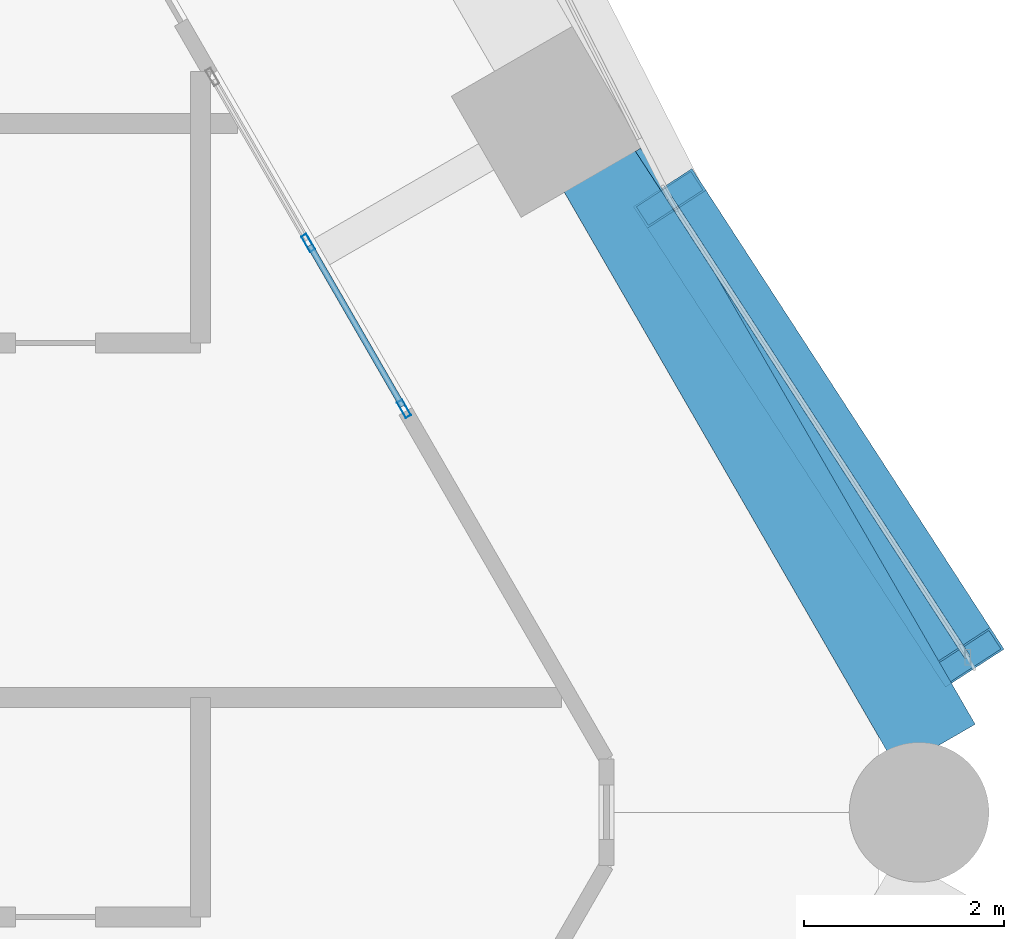
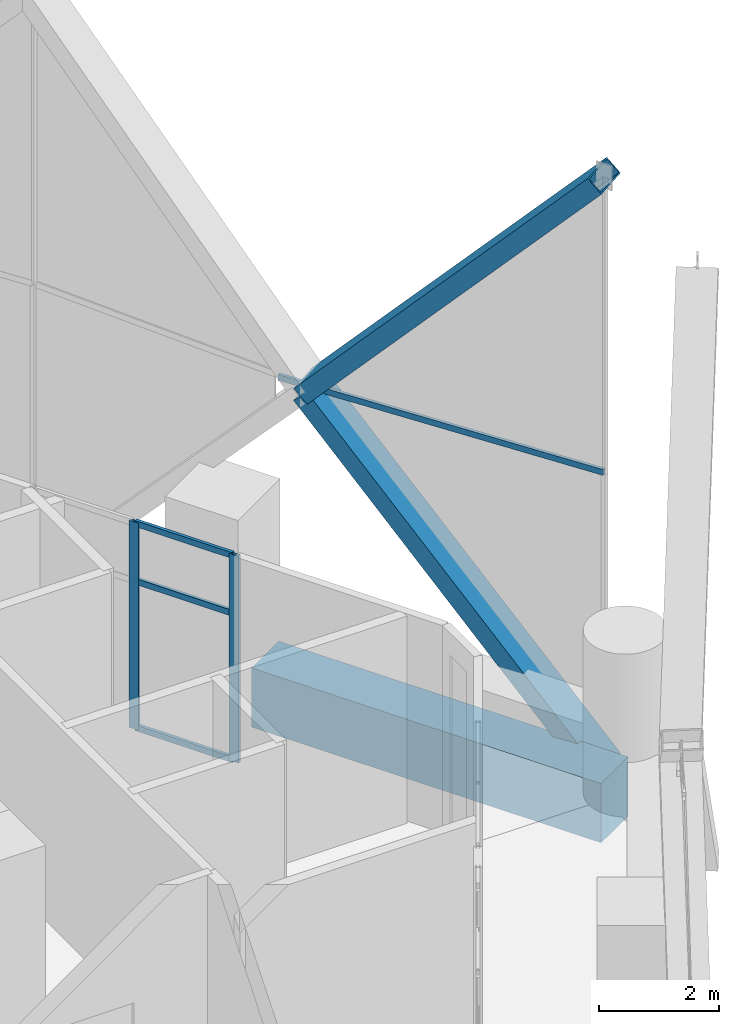
# One storey, part 22 of 46: 8 members, 1 beam, 2 elements without a shape of their own.
"""IFC4 building model written with IfcOpenShell, lengths in metres."""

import ifcopenshell
import ifcopenshell.guid

model = None  # the IFC model being written
_history = None  # IfcOwnerHistory: only IFC2X3 demands one
_inside = {}  # id of a spatial element -> (the spatial element, [elements in it])
_under = {}  # id of a project, library or spatial element -> (it, [spatial elements below it])
_declared = {}  # id of a project -> (the project, [libraries it declares])
_typed = {}  # id of a type object -> (the type object, [elements of that type])
_made_of = {}  # id of a material, layer set ... -> (it, [elements and type objects made of it])


def new_model(schema):
    """Start an empty IFC model of exactly this schema.

    Asked for "IFC4X3", IfcOpenShell would pick the latest addendum, in which some entities
    have other attributes; the version numbers below select the first issue.
    IFC2X3 requires an IfcOwnerHistory on every rooted entity: one is made here for all.
    """
    global model, _history
    if schema == "IFC4X3":
        model = ifcopenshell.file(schema_version=(4, 3, 0, 0))
    else:
        model = ifcopenshell.file(schema=schema)
    _inside.clear()
    _under.clear()
    _declared.clear()
    _typed.clear()
    _made_of.clear()
    _history = None
    if model.schema == "IFC2X3":
        org = make("IfcOrganization", Name="unknown")
        user = make(
            "IfcPersonAndOrganization",
            ThePerson=make("IfcPerson", FamilyName="unknown"),
            TheOrganization=org,
        )
        app = make(
            "IfcApplication",
            ApplicationDeveloper=org,
            Version="unknown",
            ApplicationFullName="unknown",
            ApplicationIdentifier="unknown",
        )
        _history = make(
            "IfcOwnerHistory",
            OwningUser=user,
            OwningApplication=app,
            ChangeAction="ADDED",
            CreationDate=0,
        )
    return model


def make(cls, **values):
    """One entity of the class cls with the attributes given. An attribute that is None is left unset."""
    return model.create_entity(
        cls, **{name: value for name, value in values.items() if value is not None}
    )


def rooted(cls, **values):
    """An entity with a GlobalId (a new one), such as an element, a storey or a relation."""
    return make(cls, GlobalId=ifcopenshell.guid.new(), OwnerHistory=_history, **values)


def si_unit(unit_type, name, prefix=None):
    """IfcSIUnit, for example si_unit("LENGTHUNIT", "METRE", prefix="MILLI")."""
    return make("IfcSIUnit", UnitType=unit_type, Prefix=prefix, Name=name)


def assignment(units):
    """IfcUnitAssignment: the units of a project."""
    return None if units is None else make("IfcUnitAssignment", Units=units)


def point(xyz):
    """IfcCartesianPoint."""
    return None if xyz is None else make("IfcCartesianPoint", Coordinates=xyz)


def direction(xyz):
    """IfcDirection."""
    return None if xyz is None else make("IfcDirection", DirectionRatios=xyz)


def frame(location, z_axis=None, x_axis=None):
    """IfcAxis2Placement3D, a coordinate frame: its origin and axes. An axis left out is left unset."""
    return make(
        "IfcAxis2Placement3D",
        Location=point(location),
        Axis=direction(z_axis),
        RefDirection=direction(x_axis),
    )


def frame_2d(location, x_axis=None):
    """IfcAxis2Placement2D, a coordinate frame in the plane: its origin and x axis."""
    return make(
        "IfcAxis2Placement2D", Location=point(location), RefDirection=direction(x_axis)
    )


def origin():
    """The frame at (0, 0, 0) with its axes left unset."""
    return frame((0.0, 0.0, 0.0))


def origin_2d():
    """The frame at (0, 0) in the plane with its x axis left unset."""
    return frame_2d((0.0, 0.0))


def place(relative_to, where):
    """IfcLocalPlacement: puts the frame where relative to a parent placement (None: the world)."""
    return make(
        "IfcLocalPlacement", PlacementRelTo=relative_to, RelativePlacement=where
    )


def context(
    kind, dimensions, precision=None, world=None, true_north=None, identifier=None
):
    """IfcGeometricRepresentationContext, for example the 3D "Model" context."""
    return make(
        "IfcGeometricRepresentationContext",
        ContextIdentifier=identifier,
        ContextType=kind,
        CoordinateSpaceDimension=dimensions,
        Precision=precision,
        WorldCoordinateSystem=world,
        TrueNorth=true_north,
    )


def subcontext(parent, identifier, kind, view, scale=None):
    """IfcGeometricRepresentationSubContext, for example "Body" below "Model"."""
    return make(
        "IfcGeometricRepresentationSubContext",
        ContextIdentifier=identifier,
        ContextType=kind,
        ParentContext=parent,
        TargetScale=scale,
        TargetView=view,
    )


def project(units=None, contexts=None):
    """IfcProject with its units and contexts."""
    return rooted(
        "IfcProject",
        Name="project",
        RepresentationContexts=contexts,
        UnitsInContext=assignment(units),
    )


def spatial(cls, under=None, at=None, **own):
    """A site, building, storey or space (cls), placed at a placement, below another one or the project."""
    s = rooted(cls, ObjectPlacement=at, **own)
    if under is not None:
        _under.setdefault(under.id(), (under, []))[1].append(s)
    return s


def profile(cls, at=None, kind="AREA", **sizes):
    """A parametric profile (cls). Its sizes go by their IFC names, for example OverallWidth=200.0."""
    return make(cls, ProfileType=kind, Position=at, **sizes)


def rectangle(**sizes):
    """IfcRectangleProfileDef."""
    return profile("IfcRectangleProfileDef", **sizes)


def hollow_rectangle(**sizes):
    """IfcRectangleHollowProfileDef."""
    return profile("IfcRectangleHollowProfileDef", **sizes)


def extrude(swept, where, along, depth):
    """IfcExtrudedAreaSolid: the profile swept, set in the frame where, extruded along a direction by depth."""
    return make(
        "IfcExtrudedAreaSolid",
        SweptArea=swept,
        Position=where,
        ExtrudedDirection=direction(along),
        Depth=depth,
    )


def shape(context_of_items, identifier, shape_type, items):
    """IfcShapeRepresentation: the items that make up one representation, for example the "Body"."""
    return make(
        "IfcShapeRepresentation",
        ContextOfItems=context_of_items,
        RepresentationIdentifier=identifier,
        RepresentationType=shape_type,
        Items=items,
    )


def material(Name=None, Category=None):
    """IfcMaterial."""
    return make("IfcMaterial", Name=Name, Category=Category)


def material_profile(
    of_material, cross_section, Name=None, Category=None, Priority=None
):
    """IfcMaterialProfile: a cross section and its material."""
    return make(
        "IfcMaterialProfile",
        Name=Name,
        Material=of_material,
        Profile=cross_section,
        Priority=Priority,
        Category=Category,
    )


def profile_set(profiles, Name=None, composite=None):
    """IfcMaterialProfileSet."""
    return make(
        "IfcMaterialProfileSet",
        Name=Name,
        MaterialProfiles=profiles,
        CompositeProfile=composite,
    )


def made_of(thing, what):
    """Note that an element or type object is made of a material, layer set ...; save() writes the relation."""
    if what is not None:
        _made_of.setdefault(what.id(), (what, []))[1].append(thing)
    return thing


def type_object(cls, material=None, **own):
    """A type object (cls), such as IfcWallType, which elements share."""
    return made_of(rooted(cls, **own), material)


def element(
    cls,
    number,
    at=None,
    inside=None,
    cuts=None,
    type_object=None,
    material=None,
    context=None,
    identifier="Body",
    shape_type=None,
    held_by="IfcProductDefinitionShape",
    body=None,
    shapes=None,
    **own,
):
    """One element of the class cls, such as IfcWall. Its Tag is "e" and its number.

    at: its placement. inside: the storey or other place that contains it. cuts: it is an
    opening in that element (IfcRelVoidsElement). A single representation is given by context,
    identifier, shape_type and body (its items); several are given by shapes. held_by: the class
    of the entity that holds the representations. save() writes the other relations.
    """
    e = rooted(cls, Tag="e%d" % number, ObjectPlacement=at, **own)
    if body is not None:
        shapes = [shape(context, identifier, shape_type, body)]
    if shapes is not None:
        e.Representation = make(held_by, Representations=shapes)
    if inside is not None:
        _inside.setdefault(inside.id(), (inside, []))[1].append(e)
    if cuts is not None:
        rooted(
            "IfcRelVoidsElement", RelatingBuildingElement=cuts, RelatedOpeningElement=e
        )
    if type_object is not None:
        _typed.setdefault(type_object.id(), (type_object, []))[1].append(e)
    return made_of(e, material)


def aggregate(whole, parts):
    """IfcRelAggregates: a whole, such as a stair, and the parts it consists of."""
    return rooted("IfcRelAggregates", RelatingObject=whole, RelatedObjects=parts)


def save(model, path):
    """Write the relations noted so far, then the file.

    IfcRelAggregates (storeys below a building ...), IfcRelContainedInSpatialStructure (elements
    in a storey), IfcRelDefinesByType, IfcRelAssociatesMaterial and IfcRelDeclares: one each for
    every whole, place, type object, material and project.
    """
    for whole, parts in _under.values():
        aggregate(whole, parts)
    for where, things in _inside.values():
        rooted(
            "IfcRelContainedInSpatialStructure",
            RelatedElements=things,
            RelatingStructure=where,
        )
    for kind, things in _typed.values():
        rooted("IfcRelDefinesByType", RelatedObjects=things, RelatingType=kind)
    for what, things in _made_of.values():
        rooted("IfcRelAssociatesMaterial", RelatedObjects=things, RelatingMaterial=what)
    for by, libraries in _declared.values():
        rooted("IfcRelDeclares", RelatingContext=by, RelatedDefinitions=libraries)
    model.write(path)


model = new_model("IFC4")

# Units and contexts
model_context = context("Model", 3, precision=1e-05, world=origin(), true_north=direction((0.0, 1.0)))
body_context = subcontext(model_context, "Body", "Model", "MODEL_VIEW")
ifc_project = project(units=[si_unit("LENGTHUNIT", "METRE"), si_unit("AREAUNIT", "SQUARE_METRE"), si_unit("VOLUMEUNIT", "CUBIC_METRE"), si_unit("PLANEANGLEUNIT", "RADIAN"), si_unit("MASSUNIT", "GRAM", prefix="KILO")], contexts=[model_context])

# Site, building, storey
site_placement = place(None, origin())
site = spatial("IfcSite", under=ifc_project, at=site_placement, CompositionType="ELEMENT")
building_placement = place(site_placement, origin())
building = spatial("IfcBuilding", under=site, at=building_placement, Name="Ostrander Bayou Hotel Tower", CompositionType="ELEMENT")
storey_placement = place(building_placement, frame((0.0, 0.0, 23.5)))
storey = spatial("IfcBuildingStorey", under=building, at=storey_placement, Name="L05", CompositionType="ELEMENT", Elevation=23.5)

# Curtain wall, member
ifc_material_1 = material(Name="Aluminium and clear glass", Category="aluminium")
curtain_wall_type_1 = type_object("IfcCurtainWallType", Name="CW-LAT lattice glazing", PredefinedType="NOTDEFINED", material=ifc_material_1)
curtain_wall_1_placement = place(storey_placement, origin())
curtain_wall_1 = element("IfcCurtainWall", 1, at=curtain_wall_1_placement, inside=storey, type_object=curtain_wall_type_1, Name="CW-LAT L05 NE 2", PredefinedType="NOTDEFINED")
ifc_material_2 = material(Name="Aluminium", Category="aluminium")
ifc_material_profile_1 = material_profile(ifc_material_2, hollow_rectangle(XDim=0.06005859375, YDim=0.1201171875, WallThickness=0.00390625, at=origin_2d()))
ifc_profile_set_1 = profile_set([ifc_material_profile_1], Name="Aluminium")
member_type_1 = type_object("IfcMemberType", Name="CW-LA transom 60 x 120 mm", PredefinedType="USERDEFINED", material=ifc_profile_set_1)
member_1_placement = place(storey_placement, frame((24.58837890625, 1.551513671875, 5.39990234375), z_axis=(-0.544652890505, 0.838661569922, 0.0), x_axis=(-0.838661569922, -0.544652890505, 0.0)))
member_1 = element("IfcMember", 2, at=member_1_placement, type_object=member_type_1, Name="CW-LAT transom 3", ObjectType="TRANSOM", PredefinedType="USERDEFINED", context=body_context, shape_type="SweptSolid", body=[
    extrude(hollow_rectangle(XDim=0.06005859375, YDim=0.1201171875, WallThickness=0.00390625, at=origin_2d()), origin(), (0.0, 0.0, 1.0), 6.0634765625),
])
aggregate(curtain_wall_1, [member_1])

# Curtain wall, members
ifc_material_3 = material(Name="Aluminium and clear glass", Category="aluminium")
curtain_wall_type_2 = type_object("IfcCurtainWallType", Name="CW-SKY amenity glass wall", PredefinedType="NOTDEFINED", material=ifc_material_3)
curtain_wall_2_placement = place(storey_placement, origin())
curtain_wall_2 = element("IfcCurtainWall", 3, at=curtain_wall_2_placement, inside=storey, type_object=curtain_wall_type_2, Name="CW-SKY L05 NE 2", PredefinedType="NOTDEFINED")
ifc_material_4 = material(Name="Aluminium", Category="aluminium")
ifc_material_profile_2 = material_profile(ifc_material_4, hollow_rectangle(XDim=0.06005859375, YDim=0.179931640625, WallThickness=0.00390625, at=origin_2d()))
ifc_profile_set_2 = profile_set([ifc_material_profile_2], Name="Aluminium")
member_type_2 = type_object("IfcMemberType", Name="CW-SK mullion 60 x 180 mm", PredefinedType="MULLION", material=ifc_profile_set_2)
member_2_placement = place(storey_placement, frame((18.94140625, 4.042236328125, 0.0), z_axis=(0.0, 0.0, 1.0), x_axis=(-0.866025463091, -0.499999897278, 0.0)))
member_2 = element("IfcMember", 4, at=member_2_placement, type_object=member_type_2, Name="CW-SKY mullion 1", PredefinedType="MULLION", context=body_context, shape_type="SweptSolid", body=[
    extrude(hollow_rectangle(XDim=0.06005859375, YDim=0.179931640625, WallThickness=0.00390625, at=origin_2d()), origin(), (0.0, 0.0, 1.0), 4.199951171875),
])
member_3_placement = place(storey_placement, frame((17.9814453125, 5.705078125, 0.0), z_axis=(0.0, 0.0, 1.0), x_axis=(-0.866025463091, -0.499999897278, 0.0)))
member_3 = element("IfcMember", 5, at=member_3_placement, type_object=member_type_2, Name="CW-SKY mullion 2", PredefinedType="MULLION", context=body_context, shape_type="SweptSolid", body=[
    extrude(hollow_rectangle(XDim=0.06005859375, YDim=0.179931640625, WallThickness=0.00390625, at=origin_2d()), origin(), (0.0, 0.0, 1.0), 4.199951171875),
])
ifc_material_5 = material(Name="Aluminium", Category="aluminium")
ifc_material_profile_3 = material_profile(ifc_material_5, hollow_rectangle(XDim=0.06005859375, YDim=0.1201171875, WallThickness=0.00390625, at=origin_2d()))
ifc_profile_set_3 = profile_set([ifc_material_profile_3], Name="Aluminium")
member_type_3 = type_object("IfcMemberType", Name="CW-SK transom 60 x 120 mm", PredefinedType="USERDEFINED", material=ifc_profile_set_3)
member_4_placement = place(storey_placement, frame((18.926513671875, 4.068359375, 0.030029296875), z_axis=(-0.500021687003, 0.866012882425, 0.0), x_axis=(-0.866012882425, -0.500021687003, 0.0)))
member_4 = element("IfcMember", 6, at=member_4_placement, type_object=member_type_3, Name="CW-SKY transom 1.1", ObjectType="TRANSOM", PredefinedType="USERDEFINED", context=body_context, shape_type="SweptSolid", body=[
    extrude(hollow_rectangle(XDim=0.06005859375, YDim=0.1201171875, WallThickness=0.00390625, at=origin_2d()), origin(), (0.0, 0.0, 1.0), 1.85986328125),
])
member_5_placement = place(storey_placement, frame((18.926513671875, 4.068359375, 3.0), z_axis=(-0.500021687003, 0.866012882425, 0.0), x_axis=(-0.866012882425, -0.500021687003, 0.0)))
member_5 = element("IfcMember", 7, at=member_5_placement, type_object=member_type_3, Name="CW-SKY transom 1.2", ObjectType="TRANSOM", PredefinedType="USERDEFINED", context=body_context, shape_type="SweptSolid", body=[
    extrude(hollow_rectangle(XDim=0.06005859375, YDim=0.1201171875, WallThickness=0.00390625, at=origin_2d()), origin(), (0.0, 0.0, 1.0), 1.85986328125),
])
member_6_placement = place(storey_placement, frame((18.926513671875, 4.068359375, 4.169921875), z_axis=(-0.500021687003, 0.866012882425, 0.0), x_axis=(-0.866012882425, -0.500021687003, 0.0)))
member_6 = element("IfcMember", 8, at=member_6_placement, type_object=member_type_3, Name="CW-SKY transom 1.3", ObjectType="TRANSOM", PredefinedType="USERDEFINED", context=body_context, shape_type="SweptSolid", body=[
    extrude(hollow_rectangle(XDim=0.06005859375, YDim=0.1201171875, WallThickness=0.00390625, at=origin_2d()), origin(), (0.0, 0.0, 1.0), 1.85986328125),
])
aggregate(curtain_wall_2, [member_2, member_3, member_4, member_5, member_6])

# Members
ifc_material_6 = material(Name="Steel ASTM A572 Gr 50", Category="steel")
ifc_material_profile_4 = material_profile(ifc_material_6, hollow_rectangle(XDim=0.699951171875, YDim=0.35009765625, WallThickness=0.02490234375, at=origin_2d()))
ifc_profile_set_4 = profile_set([ifc_material_profile_4], Name="Steel ASTM A572 Gr 50")
member_type_4 = type_object("IfcMemberType", Name="LT1 lattice member box 700 x 350 x 25 mm", PredefinedType="BRACE", material=ifc_profile_set_4)
for number, where, z_axis, x_axis, name in (
    (9, (21.602294921875, 6.14990234375, 5.39990234375), (0.367389353797, -0.565757377056, -0.738202989037), (0.838682608864, 0.544620493178, 0.0), "LT1 L05 NE 1"),
    (10, (21.602294921875, 6.14990234375, 5.39990234375), (0.367389353797, -0.565757377056, 0.738202989037), (0.838682608864, 0.544620493178, 0.0), "LT1 L05 NE 2"),
):
    element("IfcMember", number, at=place(storey_placement, frame(where, z_axis=z_axis, x_axis=x_axis)), inside=storey, type_object=member_type_4, Name=name, PredefinedType="BRACE", context=body_context, shape_type="SweptSolid", body=[
        extrude(hollow_rectangle(XDim=0.699951171875, YDim=0.35009765625, WallThickness=0.02490234375, at=origin_2d()), origin(), (0.0, 0.0, 1.0), 8.1279296875),
    ])

# Beam
ifc_material_7 = material(Name="Concrete f'c 70 MPa", Category="concrete")
ifc_material_profile_5 = material_profile(ifc_material_7, rectangle(XDim=0.89990234375, YDim=1.199951171875, at=origin_2d()))
ifc_profile_set_5 = profile_set([ifc_material_profile_5], Name="Concrete f'c 70 MPa")
beam_type = type_object("IfcBeamType", Name="SP1 spandrel beam 900 x 1200 mm f'c 70 MPa", PredefinedType="SPANDREL", material=ifc_profile_set_5)
beam_placement = place(storey_placement, frame((24.274169921875, 0.656005859375, -0.60009765625), z_axis=(-0.500005133765, 0.866022439784, 0.0), x_axis=(-0.866022439784, -0.500005133765, 0.0)))
element("IfcBeam", 11, at=beam_placement, inside=storey, type_object=beam_type, Name="SP1 L05 NE-1", PredefinedType="SPANDREL", context=body_context, shape_type="SweptSolid", body=[
    extrude(rectangle(XDim=0.89990234375, YDim=1.199951171875, at=origin_2d()), origin(), (0.0, 0.0, 1.0), 6.70361328125),
])

save(model, "model.ifc")
